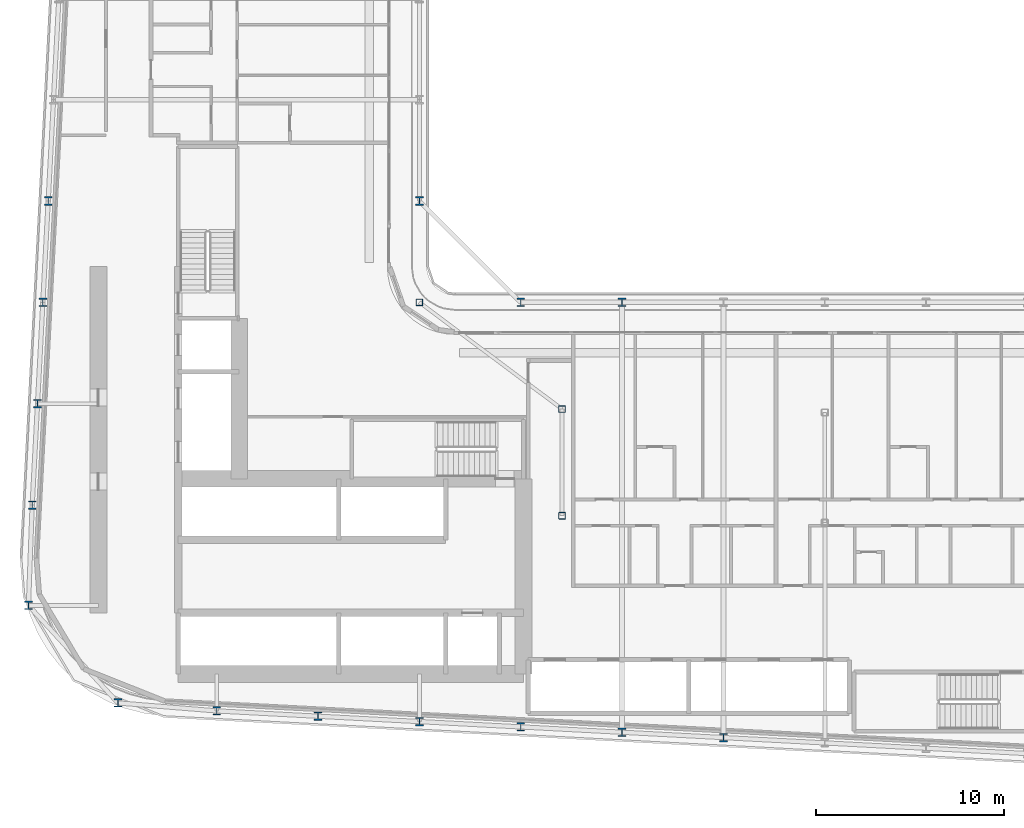
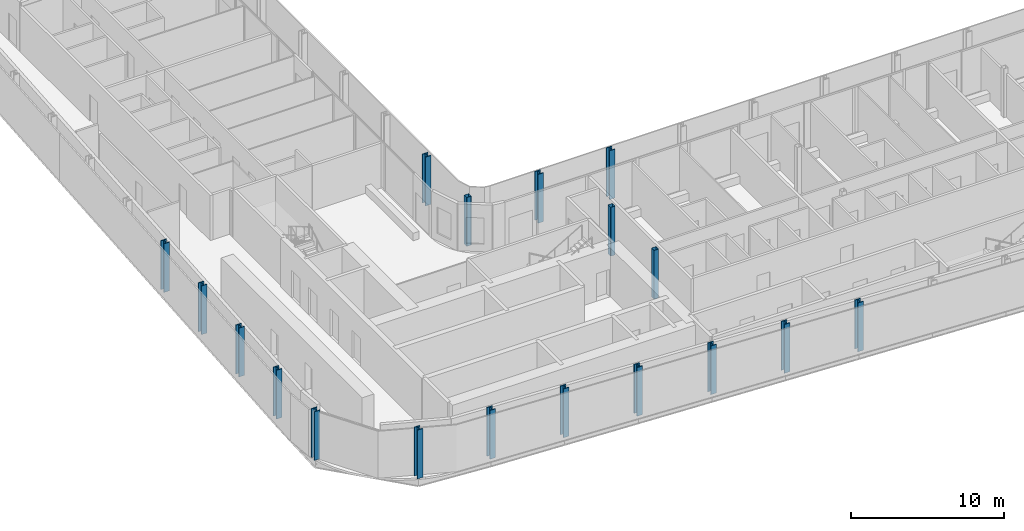
# One storey, part 1 of 29: 18 columns.
"""IFC4 building model written with IfcOpenShell, lengths in metres."""

from ifc_helpers import new_model, si_unit, direction, frame, origin, origin_2d, place, context, subcontext, project, spatial, hollow_rectangle, i_section, extrude, material, material_profile, profile_set, type_object, element, save


model = new_model("IFC4")

# Units and contexts
model_context = context("Model", 3, precision=1e-05, world=origin(), true_north=direction((0.0, 1.0)))
body_context = subcontext(model_context, "Body", "Model", "MODEL_VIEW")
ifc_project = project(units=[si_unit("LENGTHUNIT", "METRE"), si_unit("AREAUNIT", "SQUARE_METRE"), si_unit("VOLUMEUNIT", "CUBIC_METRE"), si_unit("PLANEANGLEUNIT", "RADIAN"), si_unit("MASSUNIT", "GRAM", prefix="KILO")], contexts=[model_context])

# Site, building, storey
site_placement = place(None, origin())
site = spatial("IfcSite", under=ifc_project, at=site_placement, CompositionType="ELEMENT")
building_placement = place(site_placement, origin())
building = spatial("IfcBuilding", under=site, at=building_placement, Name="Kheshtan School and Residences Tower", CompositionType="ELEMENT")
storey_placement = place(building_placement, frame((0.0, 0.0, 117.5)))
storey = spatial("IfcBuildingStorey", under=building, at=storey_placement, Name="L27", CompositionType="ELEMENT", Elevation=117.5)

# Columns
ifc_material_1 = material(Name="Steel ASTM A992 Grade 50", Category="steel")
ifc_material_profile_1 = material_profile(ifc_material_1, i_section(OverallWidth=0.41796875, OverallDepth=0.455078125, WebThickness=0.042236328125, FlangeThickness=0.067626953125, FilletRadius=0.013671875, at=origin_2d()), Name="W360x551")
ifc_profile_set_1 = profile_set([ifc_material_profile_1], Name="Steel ASTM A992 Grade 50")
column_type_1 = type_object("IfcColumnType", Name="Column C2 W360x551 ASTM A992 Grade 50", PredefinedType="COLUMN", material=ifc_profile_set_1)
for number, where, z_axis, x_axis, name in (
    (1, (63.800048828125, 22.410888671875, 0.0), (0.0, 0.0, 1.0), (1.0, 0.0, 0.0), "Column C016"),
    (2, (58.39990234375, 22.695068359375, 0.0), (0.0, 0.0, 1.0), (1.0, 0.0, 0.0), "Column C018"),
    (3, (53.0, 22.97998046875, 0.0), (0.0, 0.0, 1.0), (1.0, 0.0, 0.0), "Column C019"),
    (4, (47.60009765625, 23.263916015625, 0.0), (0.0, 0.0, 1.0), (1.0, 0.0, 0.0), "Column C020"),
    (5, (42.199951171875, 23.548095703125, 0.0), (0.0, 0.0, 1.0), (1.0, 0.0, 0.0), "Column C021"),
    (6, (36.800048828125, 23.83203125, 0.0), (0.0, 0.0, 1.0), (1.0, 0.0, 0.0), "Column C022"),
    (7, (31.5419921875, 24.257080078125, 0.0), (0.0, 0.0, 1.0), (1.0, 0.0, 0.0), "Column C025"),
    (8, (26.76904296875, 29.4541015625, 0.0), (0.0, 0.0, 1.0), (1.0, 0.0, 0.0), "Column C038"),
    (9, (26.968994140625, 34.800048828125, 0.0), (0.0, 0.0, 1.0), (1.0, 0.0, 0.0), "Column C052"),
    (10, (27.2529296875, 40.199951171875, 0.0), (0.0, 0.0, 1.0), (1.0, 0.0, 0.0), "Column C056"),
    (11, (27.537109375, 45.60009765625, 0.0), (0.0, 0.0, 1.0), (1.0, 0.0, 0.0), "Column C059"),
    (12, (53.0, 45.60009765625, 0.0), (0.0, 0.0, 1.0), (1.0, 0.0, 0.0), "Column C061"),
    (13, (58.39990234375, 45.60009765625, 0.0), (0.0, 0.0, 1.0), (1.0, 0.0, 0.0), "Column C062"),
    (14, (27.822021484375, 51.0, 0.0), (0.0, 0.0, 1.0), (1.0, 0.0, 0.0), "Column C078"),
    (15, (47.60009765625, 51.0, 0.0), (0.0, 0.0, 1.0), (1.0, 0.0, 0.0), "Column C079"),
):
    element("IfcColumn", number, at=place(storey_placement, frame(where, z_axis=z_axis, x_axis=x_axis)), inside=storey, type_object=column_type_1, Name=name, PredefinedType="COLUMN", context=body_context, shape_type="SweptSolid", body=[
        extrude(i_section(OverallWidth=0.41796875, OverallDepth=0.455078125, WebThickness=0.042236328125, FlangeThickness=0.067626953125, FilletRadius=0.013671875, at=origin_2d()), origin(), (0.0, 0.0, 1.0), 3.89990234375),
    ])
ifc_material_2 = material(Name="Steel ASTM A500 Grade C", Category="steel")
ifc_material_profile_2 = material_profile(ifc_material_2, hollow_rectangle(XDim=0.35595703125, YDim=0.35595703125, WallThickness=0.015869140625, InnerFilletRadius=0.015869140625, OuterFilletRadius=0.03173828125, at=origin_2d()), Name="HSS 356x356x15.9")
ifc_profile_set_2 = profile_set([ifc_material_profile_2], Name="Steel ASTM A500 Grade C")
column_type_2 = type_object("IfcColumnType", Name="Column IC1 HSS 356x356x15.9 ASTM A500 Grade C", PredefinedType="COLUMN", material=ifc_profile_set_2)
for number, where, z_axis, x_axis, name in (
    (16, (55.199951171875, 34.23193359375, 0.0), (0.0, 0.0, 1.0), (1.0, 0.0, 0.0), "Column C051"),
    (17, (55.199951171875, 39.916015625, 0.0), (0.0, 0.0, 1.0), (1.0, 0.0, 0.0), "Column C055"),
    (18, (47.60009765625, 45.60009765625, 0.0), (0.0, 0.0, 1.0), (1.0, 0.0, 0.0), "Column C060"),
):
    element("IfcColumn", number, at=place(storey_placement, frame(where, z_axis=z_axis, x_axis=x_axis)), inside=storey, type_object=column_type_2, Name=name, PredefinedType="COLUMN", context=body_context, shape_type="SweptSolid", body=[
        extrude(hollow_rectangle(XDim=0.35595703125, YDim=0.35595703125, WallThickness=0.015869140625, InnerFilletRadius=0.015869140625, OuterFilletRadius=0.03173828125, at=origin_2d()), origin(), (0.0, 0.0, 1.0), 3.89990234375),
    ])

save(model, "model.ifc")
